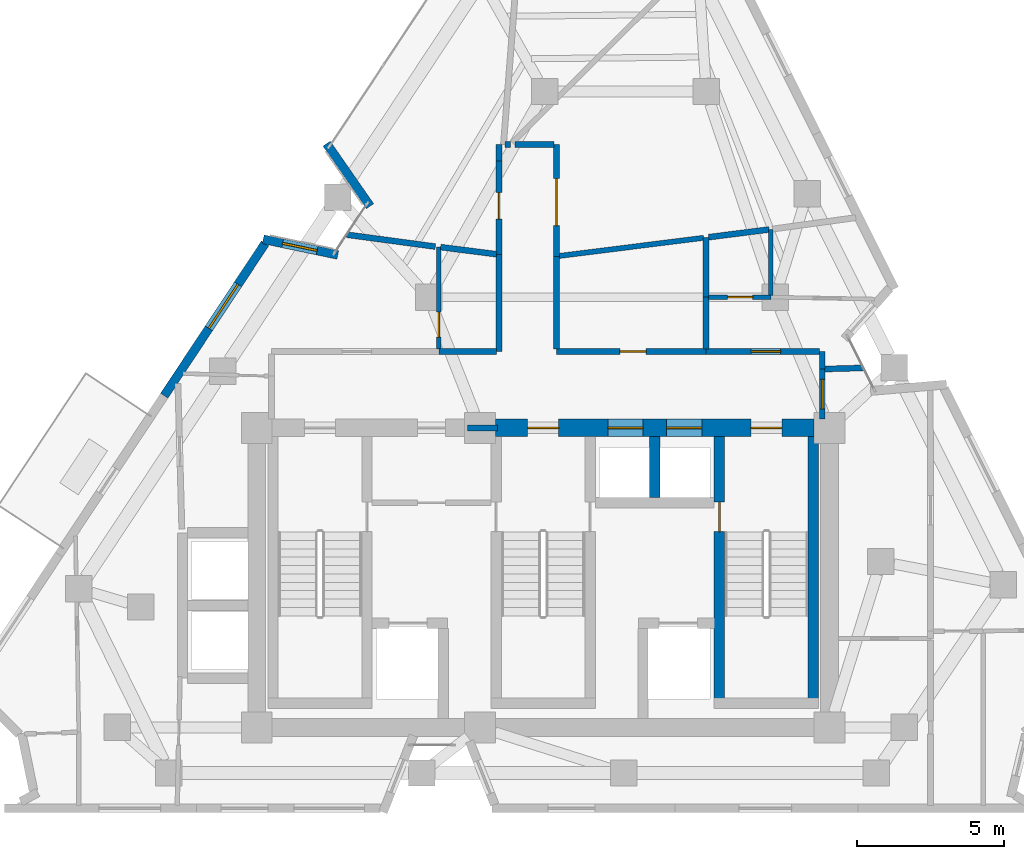
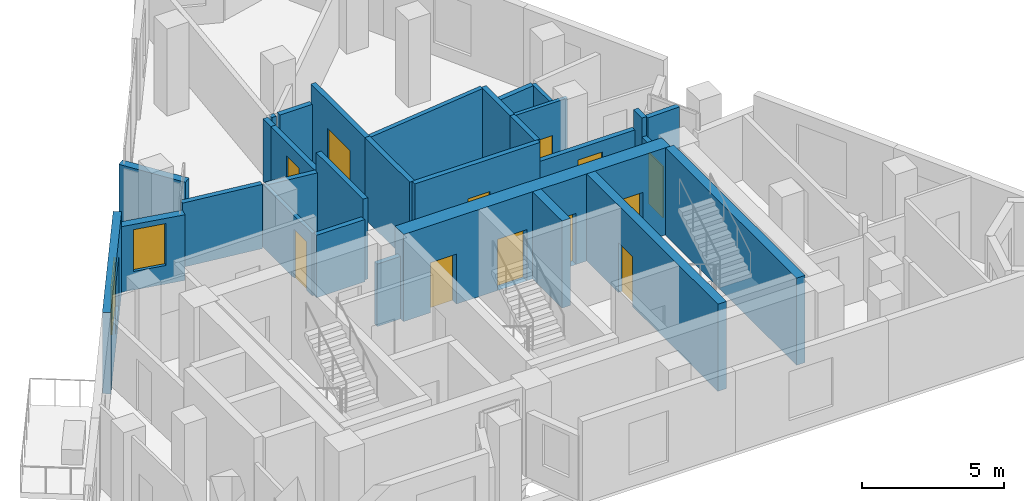
# One storey, part 6 of 10: 30 walls, 12 doors, 2 windows, 14 openings.
"""IFC4 building model written with IfcOpenShell, lengths in metres."""

from ifc_helpers import new_model, si_unit, direction, frame, frame_2d, origin, place, context, subcontext, project, spatial, rectangle, extrude, material, layer, layer_set, type_object, element, fill, save


model = new_model("IFC4")

# Units and contexts
model_context = context("Model", 3, precision=1e-05, world=origin(), true_north=direction((0.0, 1.0)))
body_context = subcontext(model_context, "Body", "Model", "MODEL_VIEW")
ifc_project = project(units=[si_unit("LENGTHUNIT", "METRE"), si_unit("AREAUNIT", "SQUARE_METRE"), si_unit("VOLUMEUNIT", "CUBIC_METRE"), si_unit("PLANEANGLEUNIT", "RADIAN"), si_unit("MASSUNIT", "GRAM", prefix="KILO")], contexts=[model_context])

# Site, building, storey
site_placement = place(None, origin())
site = spatial("IfcSite", under=ifc_project, at=site_placement, CompositionType="ELEMENT")
building_placement = place(site_placement, origin())
building = spatial("IfcBuilding", under=site, at=building_placement, Name="Almagre Mirador Tower", CompositionType="ELEMENT")
storey_placement = place(building_placement, frame((0.0, 0.0, 255.75)))
storey = spatial("IfcBuildingStorey", under=building, at=storey_placement, Name="L66", CompositionType="ELEMENT", Elevation=255.75)

# Wall, opening, window
ifc_material_1 = material(Name="Precast concrete C50/60", Category="concrete")
ifc_layer_1 = layer(ifc_material_1, 0.300048828125)
ifc_layer_set_1 = layer_set([ifc_layer_1], Name="Precast concrete C50/60")
wall_type_1 = type_object("IfcWallType", Name="WAL-EXT-300", PredefinedType="SOLIDWALL", material=ifc_layer_set_1)
wall_1_placement = place(storey_placement, frame((27.77099609375, 21.170654296875, 0.0), z_axis=(0.0, 0.0, 1.0), x_axis=(0.978788869041, -0.204871544732, 0.0)))
wall_1 = element("IfcWall", 1, at=wall_1_placement, inside=storey, type_object=wall_type_1, Name="L66 expressed almagre precast frame wall 01", PredefinedType="SOLIDWALL", context=body_context, shape_type="SweptSolid", body=[
    extrude(rectangle(XDim=2.593017578125, YDim=0.300048828125, at=frame_2d((1.29638671875, 0.0))), origin(), (0.0, 0.0, 1.0), 2.824951171875),
])
opening_1_placement = place(wall_1_placement, frame((0.675048828125, 0.0, 0.800048828125)))
opening_1 = element("IfcOpeningElement", 2, at=opening_1_placement, cuts=wall_1, Name="Opening WN-04", PredefinedType="OPENING", context=body_context, shape_type="SweptSolid", body=[
    extrude(rectangle(XDim=1.199951171875, YDim=1.800048828125, at=frame_2d((0.60009765625, 0.89990234375))), frame((0.0, 0.159902, 0.0), z_axis=(0.0, -1.0, 0.0), x_axis=(1.0, 0.0, 0.0)), (0.0, 0.0, 1.0), 0.320049),
])
ifc_material_2 = material(Name="Dark solar-control laminated hurricane glass", Category="glass")
window_type_1 = type_object("IfcWindowType", Name="WIN-1200X1800", PartitioningType="SINGLE_PANEL", PredefinedType="WINDOW", material=ifc_material_2)
window_1_placement = place(opening_1_placement, origin())
window_1 = element("IfcWindow", 3, at=window_1_placement, inside=storey, type_object=window_type_1, Name="L66 recessed hurricane window L66-UE-ST", OverallHeight=1.800048828125, OverallWidth=1.199951171875, PartitioningType="SINGLE_PANEL", PredefinedType="WINDOW", context=body_context, shape_type="SweptSolid", body=[
    extrude(rectangle(XDim=1.199951171875, YDim=1.800048828125, at=frame_2d((0.60009765625, 0.89990234375))), frame((0.0, 0.030029296875, 0.0), z_axis=(0.0, -1.0, 0.0), x_axis=(1.0, 0.0, 0.0)), (0.0, 0.0, 1.0), 0.06005859375),
])
fill(opening_1, window_1)

# Wall
wall_2_placement = place(storey_placement, frame((31.406005859375, 22.2958984375, 0.0), z_axis=(0.0, 0.0, 1.0), x_axis=(-0.570584534013, 0.821238874838, 0.0)))
element("IfcWall", 4, at=wall_2_placement, inside=storey, type_object=wall_type_1, Name="L66 expressed almagre precast frame wall 02", PredefinedType="SOLIDWALL", context=body_context, shape_type="SweptSolid", body=[
    extrude(rectangle(XDim=2.59375, YDim=0.300048828125, at=frame_2d((1.296875, 0.0))), origin(), (0.0, 0.0, 1.0), 2.824951171875),
])

# Wall, opening, window
wall_3_placement = place(storey_placement, frame((24.400390625, 15.84521484375, 0.0), z_axis=(0.0, 0.0, 1.0), x_axis=(0.552142344765, 0.83374986124, 0.0)))
wall_3 = element("IfcWall", 5, at=wall_3_placement, inside=storey, type_object=wall_type_1, Name="L66 expressed almagre precast frame wall 32", PredefinedType="SOLIDWALL", context=body_context, shape_type="SweptSolid", body=[
    extrude(rectangle(XDim=6.2177734375, YDim=0.300048828125, at=frame_2d((3.10888671875, 0.0))), origin(), (0.0, 0.0, 1.0), 3.5),
])
opening_2_placement = place(wall_3_placement, frame((2.75, 0.0, 0.60009765625)))
opening_2 = element("IfcOpeningElement", 6, at=opening_2_placement, cuts=wall_3, Name="Opening WN-01", PredefinedType="OPENING", context=body_context, shape_type="SweptSolid", body=[
    extrude(rectangle(XDim=1.800048828125, YDim=2.10009765625, at=frame_2d((0.89990234375, 1.050048828125))), frame((0.0, 0.159902, 0.0), z_axis=(0.0, -1.0, 0.0), x_axis=(1.0, 0.0, 0.0)), (0.0, 0.0, 1.0), 0.320049),
])
ifc_material_3 = material(Name="Dark solar-control laminated hurricane glass", Category="glass")
window_type_2 = type_object("IfcWindowType", Name="WIN-1800X2100", PartitioningType="DOUBLE_PANEL_VERTICAL", PredefinedType="WINDOW", material=ifc_material_3)
window_2_placement = place(opening_2_placement, origin())
window_2 = element("IfcWindow", 7, at=window_2_placement, inside=storey, type_object=window_type_2, Name="L66 recessed hurricane window L66-UE-ST", OverallHeight=2.10009765625, OverallWidth=1.800048828125, PartitioningType="SINGLE_PANEL", PredefinedType="WINDOW", context=body_context, shape_type="SweptSolid", body=[
    extrude(rectangle(XDim=1.800048828125, YDim=2.10009765625, at=frame_2d((0.89990234375, 1.050048828125))), frame((0.0, 0.030029296875, 0.0), z_axis=(0.0, -1.0, 0.0), x_axis=(1.0, 0.0, 0.0)), (0.0, 0.0, 1.0), 0.06005859375),
])
fill(opening_2, window_2)

# Wall, opening, door
ifc_material_4 = material(Name="Gypsum acoustic stud partition", Category="other")
ifc_layer_2 = layer(ifc_material_4, 0.14990234375)
ifc_layer_set_2 = layer_set([ifc_layer_2], Name="Gypsum acoustic stud partition")
wall_type_2 = type_object("IfcWallType", Name="WAL-PRT-150-STD", PredefinedType="PARTITIONING", material=ifc_layer_set_2)
wall_4_placement = place(storey_placement, frame((33.75, 17.43505859375, 0.0), z_axis=(0.0, 0.0, 1.0), x_axis=(0.0, 1.0, 0.0)))
wall_4 = element("IfcWall", 8, at=wall_4_placement, inside=storey, type_object=wall_type_2, Name="L66 interior partition 034", PredefinedType="PARTITIONING", context=body_context, shape_type="SweptSolid", body=[
    extrude(rectangle(XDim=3.474853515625, YDim=0.14990234375, at=frame_2d((1.7373046875, 0.0))), origin(), (0.0, 0.0, 1.0), 2.68505859375),
])
opening_3_placement = place(wall_4_placement, frame((0.402099609375, 0.0, 0.0)))
opening_3 = element("IfcOpeningElement", 9, at=opening_3_placement, cuts=wall_4, Name="Opening UD-04", PredefinedType="OPENING", context=body_context, shape_type="SweptSolid", body=[
    extrude(rectangle(XDim=0.85009765625, YDim=2.10009765625, at=frame_2d((0.425048828125, 1.050048828125))), frame((0.0, 0.084951, 0.0), z_axis=(0.0, -1.0, 0.0), x_axis=(1.0, 0.0, 0.0)), (0.0, 0.0, 1.0), 0.169902),
])
ifc_material_5 = material(Name="Moisture-resistant oak timber", Category="wood")
door_type_1 = type_object("IfcDoorType", Name="DOR-UNR-850X2100", OperationType="NOTDEFINED", PredefinedType="DOOR", material=ifc_material_5)
door_1_placement = place(opening_3_placement, origin())
door_1 = element("IfcDoor", 10, at=door_1_placement, inside=storey, type_object=door_type_1, Name="DR-2030 L66 interior door L66-UE-ST to L66-UE-BT", OperationType="SINGLE_SWING_LEFT", OverallHeight=2.10009765625, OverallWidth=0.85009765625, PredefinedType="DOOR", context=body_context, shape_type="SweptSolid", body=[
    extrude(rectangle(XDim=0.85009765625, YDim=2.10009765625, at=frame_2d((0.425048828125, 1.050048828125))), frame((0.0, 0.02490234375, 0.0), z_axis=(0.0, -1.0, 0.0), x_axis=(1.0, 0.0, 0.0)), (0.0, 0.0, 1.0), 0.050048828125),
])
fill(opening_3, door_1)

wall_5_placement = place(storey_placement, frame((45.050048828125, 19.199951171875, 0.0), z_axis=(0.0, 0.0, 1.0), x_axis=(-1.0, 0.0, 0.0)))
wall_5 = element("IfcWall", 11, at=wall_5_placement, inside=storey, type_object=wall_type_2, Name="L66 interior partition 041", PredefinedType="PARTITIONING", context=body_context, shape_type="SweptSolid", body=[
    extrude(rectangle(XDim=2.114990234375, YDim=0.14990234375, at=frame_2d((1.0576171875, 0.0))), origin(), (0.0, 0.0, 1.0), 3.5),
])
opening_4_placement = place(wall_5_placement, frame((0.615478515625, 0.0, 0.0)))
opening_4 = element("IfcOpeningElement", 12, at=opening_4_placement, cuts=wall_5, Name="Opening UD-04", PredefinedType="OPENING", context=body_context, shape_type="SweptSolid", body=[
    extrude(rectangle(XDim=0.85009765625, YDim=2.10009765625, at=frame_2d((0.425048828125, 1.050048828125))), frame((0.0, 0.084951, 0.0), z_axis=(0.0, -1.0, 0.0), x_axis=(1.0, 0.0, 0.0)), (0.0, 0.0, 1.0), 0.169902),
])
door_2_placement = place(opening_4_placement, origin())
door_2 = element("IfcDoor", 13, at=door_2_placement, inside=storey, type_object=door_type_1, Name="DR-2033 L66 interior door L66-UG-ST to L66-UG-BT", OperationType="SINGLE_SWING_RIGHT", OverallHeight=2.10009765625, OverallWidth=0.85009765625, PredefinedType="DOOR", context=body_context, shape_type="SweptSolid", body=[
    extrude(rectangle(XDim=0.85009765625, YDim=2.10009765625, at=frame_2d((0.425048828125, 1.050048828125))), frame((0.0, 0.02490234375, 0.0), z_axis=(0.0, -1.0, 0.0), x_axis=(1.0, 0.0, 0.0)), (0.0, 0.0, 1.0), 0.050048828125),
])
fill(opening_4, door_2)

# Walls
wall_6_placement = place(storey_placement, frame((45.050048828125, 21.510009765625, 0.0), z_axis=(0.0, 0.0, 1.0), x_axis=(0.0, -1.0, 0.0)))
element("IfcWall", 14, at=wall_6_placement, inside=storey, type_object=wall_type_2, Name="L66 interior partition 042", PredefinedType="PARTITIONING", context=body_context, shape_type="SweptSolid", body=[
    extrude(rectangle(XDim=2.262451171875, YDim=0.14990234375, at=frame_2d((1.13134765625, 0.0))), origin(), (0.0, 0.0, 1.0), 2.68505859375),
])
ifc_material_6 = material(Name="Gypsum acoustic stud partition", Category="other")
ifc_layer_3 = layer(ifc_material_6, 0.175048828125)
ifc_layer_set_3 = layer_set([ifc_layer_3], Name="Gypsum acoustic stud partition")
wall_type_3 = type_object("IfcWallType", Name="WAL-PRT-175-AC", PredefinedType="PARTITIONING", material=ifc_layer_set_3)
wall_7_placement = place(storey_placement, frame((42.765625, 21.219482421875, 0.0), z_axis=(0.0, 0.0, 1.0), x_axis=(-0.992216542226, -0.124524428662, 0.0)))
element("IfcWall", 15, at=wall_7_placement, inside=storey, type_object=wall_type_3, Name="L66 interior partition 039", PredefinedType="PARTITIONING", context=body_context, shape_type="SweptSolid", body=[
    extrude(rectangle(XDim=4.969970703125, YDim=0.175048828125, at=frame_2d((2.48486328125, 0.0))), origin(), (0.0, 0.0, 1.0), 3.5),
])
ifc_material_7 = material(Name="Gypsum acoustic stud partition", Category="other")
ifc_layer_4 = layer(ifc_material_7, 0.199951171875)
ifc_layer_set_4 = layer_set([ifc_layer_4], Name="Gypsum acoustic stud partition")
wall_type_4 = type_object("IfcWallType", Name="WAL-PRT-200-EI60", PredefinedType="PARTITIONING", material=ifc_layer_set_4)
wall_8_placement = place(storey_placement, frame((34.719970703125, 14.75, 0.0), z_axis=(0.0, 0.0, 1.0), x_axis=(1.0, 0.0, 0.0)))
element("IfcWall", 16, at=wall_8_placement, inside=storey, type_object=wall_type_4, Name="L66 core north closure wall", PredefinedType="PARTITIONING", context=body_context, shape_type="SweptSolid", body=[
    extrude(rectangle(XDim=1.030029296875, YDim=0.199951171875, at=frame_2d((0.51513671875, 0.0))), origin(), (0.0, 0.0, 1.0), 2.68505859375),
])

# Wall, opening, door
wall_9_placement = place(storey_placement, frame((46.800048828125, 15.050048828125, 0.0), z_axis=(0.0, 0.0, 1.0), x_axis=(0.0, 1.0, 0.0)))
wall_9 = element("IfcWall", 17, at=wall_9_placement, inside=storey, type_object=wall_type_4, Name="L66 interior partition 001", PredefinedType="PARTITIONING", context=body_context, shape_type="SweptSolid", body=[
    extrude(rectangle(XDim=1.699951171875, YDim=0.199951171875, at=frame_2d((0.85009765625, 0.0))), origin(), (0.0, 0.0, 1.0), 2.68505859375),
])
opening_5_placement = place(wall_9_placement, frame((0.35009765625, 0.0, 0.0)))
opening_5 = element("IfcOpeningElement", 18, at=opening_5_placement, cuts=wall_9, Name="Opening ID-01", PredefinedType="OPENING", context=body_context, shape_type="SweptSolid", body=[
    extrude(rectangle(XDim=1.0, YDim=2.199951171875, at=frame_2d((0.5, 1.10009765625))), frame((0.0, 0.110098, 0.0), z_axis=(0.0, -1.0, 0.0), x_axis=(1.0, 0.0, 0.0)), (0.0, 0.0, 1.0), 0.219951),
])
ifc_material_8 = material(Name="Fire-rated walnut timber", Category="wood")
door_type_2 = type_object("IfcDoorType", Name="DOR-FD60-1000X2200", OperationType="NOTDEFINED", PredefinedType="DOOR", material=ifc_material_8)
door_3_placement = place(opening_5_placement, origin())
door_3 = element("IfcDoor", 19, at=door_3_placement, inside=storey, type_object=door_type_2, Name="DR-2024 L66 interior door L66-RCOR to L66-UC-ST", OperationType="SINGLE_SWING_RIGHT", OverallHeight=2.199951171875, OverallWidth=1.0, PredefinedType="DOOR", context=body_context, shape_type="SweptSolid", body=[
    extrude(rectangle(XDim=1.0, YDim=2.199951171875, at=frame_2d((0.5, 1.10009765625))), frame((0.0, 0.02490234375, 0.0), z_axis=(0.0, -1.0, 0.0), x_axis=(1.0, 0.0, 0.0)), (0.0, 0.0, 1.0), 0.050048828125),
])
fill(opening_5, door_3)

# Walls
wall_10_placement = place(storey_placement, frame((35.800048828125, 20.64990234375, 0.0), z_axis=(0.0, 0.0, 1.0), x_axis=(0.0, -1.0, 0.0)))
element("IfcWall", 20, at=wall_10_placement, inside=storey, type_object=wall_type_4, Name="L66 interior partition 005", PredefinedType="PARTITIONING", context=body_context, shape_type="SweptSolid", body=[
    extrude(rectangle(XDim=3.2998046875, YDim=0.199951171875, at=frame_2d((1.64990234375, 0.0))), origin(), (0.0, 0.0, 1.0), 3.5),
])
wall_11_placement = place(storey_placement, frame((35.715087890625, 17.35009765625, 0.0), z_axis=(0.0, 0.0, 1.0), x_axis=(-1.0, 0.0, 0.0)))
element("IfcWall", 21, at=wall_11_placement, inside=storey, type_object=wall_type_4, Name="L66 interior partition 006", PredefinedType="PARTITIONING", context=body_context, shape_type="SweptSolid", body=[
    extrude(rectangle(XDim=1.965087890625, YDim=0.199951171875, at=frame_2d((0.982421875, 0.0))), origin(), (0.0, 0.0, 1.0), 2.68505859375),
])

# Wall, opening, door
wall_12_placement = place(storey_placement, frame((42.85009765625, 17.35009765625, 0.0), z_axis=(0.0, 0.0, 1.0), x_axis=(-1.0, 0.0, 0.0)))
wall_12 = element("IfcWall", 22, at=wall_12_placement, inside=storey, type_object=wall_type_4, Name="L66 interior partition 007", PredefinedType="PARTITIONING", context=body_context, shape_type="SweptSolid", body=[
    extrude(rectangle(XDim=5.10009765625, YDim=0.199951171875, at=frame_2d((2.550048828125, 0.0))), origin(), (0.0, 0.0, 1.0), 3.5),
])
opening_6_placement = place(wall_12_placement, frame((2.04052734375, 0.0, 0.0)))
opening_6 = element("IfcOpeningElement", 23, at=opening_6_placement, cuts=wall_12, Name="Opening ID-03", PredefinedType="OPENING", context=body_context, shape_type="SweptSolid", body=[
    extrude(rectangle(XDim=0.89990234375, YDim=2.10009765625, at=frame_2d((0.449951171875, 1.050048828125))), frame((0.0, 0.110098, 0.0), z_axis=(0.0, -1.0, 0.0), x_axis=(1.0, 0.0, 0.0)), (0.0, 0.0, 1.0), 0.219951),
])
ifc_material_9 = material(Name="Fire-rated hollow steel", Category="steel")
door_type_3 = type_object("IfcDoorType", Name="DOR-FD60-900X2100", OperationType="NOTDEFINED", PredefinedType="DOOR", material=ifc_material_9)
door_4_placement = place(opening_6_placement, origin())
door_4 = element("IfcDoor", 24, at=door_4_placement, inside=storey, type_object=door_type_3, Name="DR-2018 L66 interior door L66-RCOR to L66-RST-F", OperationType="SINGLE_SWING_LEFT", OverallHeight=2.10009765625, OverallWidth=0.89990234375, PredefinedType="DOOR", context=body_context, shape_type="SweptSolid", body=[
    extrude(rectangle(XDim=0.89990234375, YDim=2.10009765625, at=frame_2d((0.449951171875, 1.050048828125))), frame((0.0, 0.02490234375, 0.0), z_axis=(0.0, -1.0, 0.0), x_axis=(1.0, 0.0, 0.0)), (0.0, 0.0, 1.0), 0.050048828125),
])
fill(opening_6, door_4)

# Walls
wall_13_placement = place(storey_placement, frame((37.75, 17.43505859375, 0.0), z_axis=(0.0, 0.0, 1.0), x_axis=(0.0, 1.0, 0.0)))
element("IfcWall", 25, at=wall_13_placement, inside=storey, type_object=wall_type_4, Name="L66 interior partition 008", PredefinedType="PARTITIONING", context=body_context, shape_type="SweptSolid", body=[
    extrude(rectangle(XDim=3.155029296875, YDim=0.199951171875, at=frame_2d((1.57763671875, 0.0))), origin(), (0.0, 0.0, 1.0), 3.5),
])
wall_14_placement = place(storey_placement, frame((46.800048828125, 16.75, 0.0), z_axis=(0.0, 0.0, 1.0), x_axis=(0.0, 1.0, 0.0)))
element("IfcWall", 26, at=wall_14_placement, inside=storey, type_object=wall_type_4, Name="L66 interior partition 009", PredefinedType="PARTITIONING", context=body_context, shape_type="SweptSolid", body=[
    extrude(rectangle(XDim=0.60009765625, YDim=0.199951171875, at=frame_2d((0.300048828125, 0.0))), origin(), (0.0, 0.0, 1.0), 3.5),
])

# Wall, opening, door
wall_15_placement = place(storey_placement, frame((46.715087890625, 17.35009765625, 0.0), z_axis=(0.0, 0.0, 1.0), x_axis=(-1.0, 0.0, 0.0)))
wall_15 = element("IfcWall", 27, at=wall_15_placement, inside=storey, type_object=wall_type_4, Name="L66 interior partition 010", PredefinedType="PARTITIONING", context=body_context, shape_type="SweptSolid", body=[
    extrude(rectangle(XDim=3.864990234375, YDim=0.199951171875, at=frame_2d((1.9326171875, 0.0))), origin(), (0.0, 0.0, 1.0), 2.68505859375),
])
opening_7_placement = place(wall_15_placement, frame((1.33203125, 0.0, 0.0)))
opening_7 = element("IfcOpeningElement", 28, at=opening_7_placement, cuts=wall_15, Name="Opening ID-01", PredefinedType="OPENING", context=body_context, shape_type="SweptSolid", body=[
    extrude(rectangle(XDim=1.0, YDim=2.199951171875, at=frame_2d((0.5, 1.10009765625))), frame((0.0, 0.110098, 0.0), z_axis=(0.0, -1.0, 0.0), x_axis=(1.0, 0.0, 0.0)), (0.0, 0.0, 1.0), 0.219951),
])
door_5_placement = place(opening_7_placement, origin())
door_5 = element("IfcDoor", 29, at=door_5_placement, inside=storey, type_object=door_type_2, Name="DR-2031 L66 interior door L66-RCOR to L66-UG-ST", OperationType="SINGLE_SWING_RIGHT", OverallHeight=2.199951171875, OverallWidth=1.0, PredefinedType="DOOR", context=body_context, shape_type="SweptSolid", body=[
    extrude(rectangle(XDim=1.0, YDim=2.199951171875, at=frame_2d((0.5, 1.10009765625))), frame((0.0, 0.02490234375, 0.0), z_axis=(0.0, -1.0, 0.0), x_axis=(1.0, 0.0, 0.0)), (0.0, 0.0, 1.0), 0.050048828125),
])
fill(opening_7, door_5)

wall_16_placement = place(storey_placement, frame((35.800048828125, 23.840087890625, 0.0), z_axis=(0.0, 0.0, 1.0), x_axis=(0.0, -1.0, 0.0)))
wall_16 = element("IfcWall", 30, at=wall_16_placement, inside=storey, type_object=wall_type_4, Name="L66 interior partition 011", PredefinedType="PARTITIONING", context=body_context, shape_type="SweptSolid", body=[
    extrude(rectangle(XDim=3.190185546875, YDim=0.199951171875, at=frame_2d((1.59521484375, 0.0))), origin(), (0.0, 0.0, 1.0), 2.68505859375),
])
opening_8_placement = place(wall_16_placement, frame((1.0859375, 0.0, 0.0)))
opening_8 = element("IfcOpeningElement", 31, at=opening_8_placement, cuts=wall_16, Name="Opening ID-03", PredefinedType="OPENING", context=body_context, shape_type="SweptSolid", body=[
    extrude(rectangle(XDim=0.89990234375, YDim=2.10009765625, at=frame_2d((0.449951171875, 1.050048828125))), frame((0.0, 0.110098, 0.0), z_axis=(0.0, -1.0, 0.0), x_axis=(1.0, 0.0, 0.0)), (0.0, 0.0, 1.0), 0.219951),
])
door_6_placement = place(opening_8_placement, origin())
door_6 = element("IfcDoor", 32, at=door_6_placement, inside=storey, type_object=door_type_3, Name="DR-2020 L66 interior door L66-RCOR to L66-UH-ST", OperationType="SINGLE_SWING_LEFT", OverallHeight=2.10009765625, OverallWidth=0.89990234375, PredefinedType="DOOR", context=body_context, shape_type="SweptSolid", body=[
    extrude(rectangle(XDim=0.89990234375, YDim=2.10009765625, at=frame_2d((0.449951171875, 1.050048828125))), frame((0.0, 0.02490234375, 0.0), z_axis=(0.0, -1.0, 0.0), x_axis=(1.0, 0.0, 0.0)), (0.0, 0.0, 1.0), 0.050048828125),
])
fill(opening_8, door_6)

# Wall
wall_17_placement = place(storey_placement, frame((35.800048828125, 24.39990234375, 0.0), z_axis=(0.0, 0.0, 1.0), x_axis=(0.0, -1.0, 0.0)))
element("IfcWall", 33, at=wall_17_placement, inside=storey, type_object=wall_type_4, Name="L66 interior partition 012", PredefinedType="PARTITIONING", context=body_context, shape_type="SweptSolid", body=[
    extrude(rectangle(XDim=0.559814453125, YDim=0.199951171875, at=frame_2d((0.27978515625, 0.0))), origin(), (0.0, 0.0, 1.0), 2.68505859375),
])

# Wall, opening, door
wall_18_placement = place(storey_placement, frame((37.75, 20.590087890625, 0.0), z_axis=(0.0, 0.0, 1.0), x_axis=(0.0, 1.0, 0.0)))
wall_18 = element("IfcWall", 34, at=wall_18_placement, inside=storey, type_object=wall_type_4, Name="L66 interior partition 013", PredefinedType="PARTITIONING", context=body_context, shape_type="SweptSolid", body=[
    extrude(rectangle(XDim=3.809814453125, YDim=0.199951171875, at=frame_2d((1.90478515625, 0.0))), origin(), (0.0, 0.0, 1.0), 3.5),
])
opening_9_placement = place(wall_18_placement, frame((1.048095703125, 0.0, 0.0)))
opening_9 = element("IfcOpeningElement", 35, at=opening_9_placement, cuts=wall_18, Name="Opening ID-05", PredefinedType="OPENING", context=body_context, shape_type="SweptSolid", body=[
    extrude(rectangle(XDim=1.60009765625, YDim=2.300048828125, at=frame_2d((0.800048828125, 1.14990234375))), frame((0.0, 0.110098, 0.0), z_axis=(0.0, -1.0, 0.0), x_axis=(1.0, 0.0, 0.0)), (0.0, 0.0, 1.0), 0.219951),
])
ifc_material_10 = material(Name="Fire-rated acoustic timber", Category="wood")
door_type_4 = type_object("IfcDoorType", Name="DOR-FD60-1600X2300", OperationType="DOUBLE_DOOR_SINGLE_SWING", PredefinedType="DOOR", material=ifc_material_10)
door_7_placement = place(opening_9_placement, origin())
door_7 = element("IfcDoor", 36, at=door_7_placement, inside=storey, type_object=door_type_4, Name="DR-2019 L66 interior door L66-RCOR to L66-RST-J", OperationType="DOUBLE_DOOR_SINGLE_SWING", OverallHeight=2.300048828125, OverallWidth=1.60009765625, PredefinedType="DOOR", context=body_context, shape_type="SweptSolid", body=[
    extrude(rectangle(XDim=1.60009765625, YDim=2.300048828125, at=frame_2d((0.800048828125, 1.14990234375))), frame((0.0, 0.02490234375, 0.0), z_axis=(0.0, -1.0, 0.0), x_axis=(1.0, 0.0, 0.0)), (0.0, 0.0, 1.0), 0.050048828125),
])
fill(opening_9, door_7)

# Walls
wall_19_placement = place(storey_placement, frame((37.6650390625, 24.39990234375, 0.0), z_axis=(0.0, 0.0, 1.0), x_axis=(-1.0, 0.0, 0.0)))
element("IfcWall", 37, at=wall_19_placement, inside=storey, type_object=wall_type_4, Name="L66 interior partition 014", PredefinedType="PARTITIONING", context=body_context, shape_type="SweptSolid", body=[
    extrude(rectangle(XDim=1.330078125, YDim=0.199951171875, at=frame_2d((0.6650390625, 0.0))), origin(), (0.0, 0.0, 1.0), 2.68505859375),
])
wall_20_placement = place(storey_placement, frame((36.18994140625, 24.39990234375, 0.0), z_axis=(0.0, 0.0, 1.0), x_axis=(-1.0, 0.0, 0.0)))
element("IfcWall", 38, at=wall_20_placement, inside=storey, type_object=wall_type_4, Name="L66 interior partition 015", PredefinedType="PARTITIONING", context=body_context, shape_type="SweptSolid", body=[
    extrude(rectangle(XDim=0.18505859375, YDim=0.199951171875, at=frame_2d((0.092529296875, 0.0))), origin(), (0.0, 0.0, 1.0), 2.68505859375),
])
wall_21_placement = place(storey_placement, frame((48.200927734375, 16.7900390625, 0.0), z_axis=(0.0, 0.0, 1.0), x_axis=(-0.999592086461, -0.028559773899, 0.0)))
element("IfcWall", 39, at=wall_21_placement, inside=storey, type_object=wall_type_4, Name="L66 interior partition 027", PredefinedType="PARTITIONING", context=body_context, shape_type="SweptSolid", body=[
    extrude(rectangle(XDim=1.31640625, YDim=0.199951171875, at=frame_2d((0.658203125, 0.0))), origin(), (0.0, 0.0, 1.0), 3.5),
])
wall_22_placement = place(storey_placement, frame((33.6298828125, 20.919921875, 0.0), z_axis=(0.0, 0.0, 1.0), x_axis=(-0.991047215952, 0.13351185623, 0.0)))
element("IfcWall", 40, at=wall_22_placement, inside=storey, type_object=wall_type_4, Name="L66 interior partition 035", PredefinedType="PARTITIONING", context=body_context, shape_type="SweptSolid", body=[
    extrude(rectangle(XDim=3.04833984375, YDim=0.199951171875, at=frame_2d((1.524169921875, 0.0))), origin(), (0.0, 0.0, 1.0), 2.763916015625),
])
wall_23_placement = place(storey_placement, frame((35.7158203125, 20.66064453125, 0.0), z_axis=(0.0, 0.0, 1.0), x_axis=(-0.992041540235, 0.125911010037, 0.0)))
element("IfcWall", 41, at=wall_23_placement, inside=storey, type_object=wall_type_4, Name="L66 interior partition 036", PredefinedType="PARTITIONING", context=body_context, shape_type="SweptSolid", body=[
    extrude(rectangle(XDim=1.921630859375, YDim=0.199951171875, at=frame_2d((0.9609375, 0.0))), origin(), (0.0, 0.0, 1.0), 2.68505859375),
])
wall_24_placement = place(storey_placement, frame((42.85009765625, 17.43505859375, 0.0), z_axis=(0.0, 0.0, 1.0), x_axis=(0.0, 1.0, 0.0)))
element("IfcWall", 42, at=wall_24_placement, inside=storey, type_object=wall_type_4, Name="L66 interior partition 037", PredefinedType="PARTITIONING", context=body_context, shape_type="SweptSolid", body=[
    extrude(rectangle(XDim=1.764892578125, YDim=0.199951171875, at=frame_2d((0.88232421875, 0.0))), origin(), (0.0, 0.0, 1.0), 3.5),
])
wall_25_placement = place(storey_placement, frame((42.85009765625, 19.199951171875, 0.0), z_axis=(0.0, 0.0, 1.0), x_axis=(0.0, 1.0, 0.0)))
element("IfcWall", 43, at=wall_25_placement, inside=storey, type_object=wall_type_4, Name="L66 interior partition 038", PredefinedType="PARTITIONING", context=body_context, shape_type="SweptSolid", body=[
    extrude(rectangle(XDim=2.030029296875, YDim=0.199951171875, at=frame_2d((1.01513671875, 0.0))), origin(), (0.0, 0.0, 1.0), 3.5),
])
wall_26_placement = place(storey_placement, frame((44.990478515625, 21.50244140625, 0.0), z_axis=(0.0, 0.0, 1.0), x_axis=(-0.991996302331, -0.126266924258, 0.0)))
element("IfcWall", 44, at=wall_26_placement, inside=storey, type_object=wall_type_4, Name="L66 interior partition 044", PredefinedType="PARTITIONING", context=body_context, shape_type="SweptSolid", body=[
    extrude(rectangle(XDim=2.07275390625, YDim=0.199951171875, at=frame_2d((1.036376953125, 0.0))), origin(), (0.0, 0.0, 1.0), 2.68505859375),
])

# Wall, opening, door
ifc_material_11 = material(Name="Concrete C60/75", Category="concrete")
ifc_layer_5 = layer(ifc_material_11, 0.35009765625)
ifc_layer_set_5 = layer_set([ifc_layer_5], Name="Concrete C60/75")
wall_type_5 = type_object("IfcWallType", Name="WAL-SHF-350", PredefinedType="SOLIDWALL", material=ifc_layer_set_5)
wall_27_placement = place(storey_placement, frame((43.300048828125, 5.199951171875, 0.0), z_axis=(0.0, 0.0, 1.0), x_axis=(0.0, 1.0, 0.0)))
wall_27 = element("IfcWall", 45, at=wall_27_placement, inside=storey, type_object=wall_type_5, Name="L66 shaft wall ST3-W", PredefinedType="SOLIDWALL", context=body_context, shape_type="SweptSolid", body=[
    extrude(rectangle(XDim=9.25, YDim=0.35009765625, at=frame_2d((4.625, 0.0))), origin(), (0.0, 0.0, 1.0), 3.75),
])
opening_10_placement = place(wall_27_placement, frame((6.02001953125, 0.0, 0.0)))
opening_10 = element("IfcOpeningElement", 46, at=opening_10_placement, cuts=wall_27, Name="Opening FD-01", PredefinedType="OPENING", context=body_context, shape_type="SweptSolid", body=[
    extrude(rectangle(XDim=1.0, YDim=2.14990234375, at=frame_2d((0.5, 1.074951171875))), frame((0.0, 0.185049, 0.0), z_axis=(0.0, -1.0, 0.0), x_axis=(1.0, 0.0, 0.0)), (0.0, 0.0, 1.0), 0.370098),
])
ifc_material_12 = material(Name="Fire-rated hollow steel", Category="steel")
door_type_5 = type_object("IfcDoorType", Name="DOR-FFL-1000X2150", OperationType="NOTDEFINED", PredefinedType="DOOR", material=ifc_material_12)
door_8_placement = place(opening_10_placement, origin())
door_8 = element("IfcDoor", 47, at=door_8_placement, inside=storey, type_object=door_type_5, Name="DR-2017 L66 FFL2-ST3 smokeproof door", OperationType="SINGLE_SWING_RIGHT", OverallHeight=2.14990234375, OverallWidth=1.0, PredefinedType="DOOR", context=body_context, shape_type="SweptSolid", body=[
    extrude(rectangle(XDim=1.0, YDim=2.14990234375, at=frame_2d((0.5, 1.074951171875))), frame((0.0, 0.02490234375, 0.0), z_axis=(0.0, -1.0, 0.0), x_axis=(1.0, 0.0, 0.0)), (0.0, 0.0, 1.0), 0.050048828125),
])
fill(opening_10, door_8)

# Walls
wall_28_placement = place(storey_placement, frame((46.5, 5.199951171875, 0.0), z_axis=(0.0, 0.0, 1.0), x_axis=(0.0, 1.0, 0.0)))
element("IfcWall", 48, at=wall_28_placement, inside=storey, type_object=wall_type_5, Name="L66 shaft wall ST3-E", PredefinedType="SOLIDWALL", context=body_context, shape_type="SweptSolid", body=[
    extrude(rectangle(XDim=9.25, YDim=0.35009765625, at=frame_2d((4.625, 0.0))), origin(), (0.0, 0.0, 1.0), 3.75),
])
wall_29_placement = place(storey_placement, frame((41.10009765625, 12.375, 0.0), z_axis=(0.0, 0.0, 1.0), x_axis=(0.0, 1.0, 0.0)))
element("IfcWall", 49, at=wall_29_placement, inside=storey, type_object=wall_type_5, Name="L66 shaft wall PLH-M", PredefinedType="SOLIDWALL", context=body_context, shape_type="SweptSolid", body=[
    extrude(rectangle(XDim=2.074951171875, YDim=0.35009765625, at=frame_2d((1.03759765625, 0.0))), origin(), (0.0, 0.0, 1.0), 3.75),
])

# Wall, openings, doors
ifc_material_13 = material(Name="Concrete C60/75", Category="concrete")
ifc_layer_6 = layer(ifc_material_13, 0.60009765625)
ifc_layer_set_6 = layer_set([ifc_layer_6], Name="Concrete C60/75")
wall_type_6 = type_object("IfcWallType", Name="WAL-SHR-600", PredefinedType="SHEAR", material=ifc_layer_set_6)
wall_30_placement = place(storey_placement, frame((35.675048828125, 14.75, 0.0), z_axis=(0.0, 0.0, 1.0), x_axis=(1.0, 0.0, 0.0)))
wall_30 = element("IfcWall", 50, at=wall_30_placement, inside=storey, type_object=wall_type_6, Name="L66 core shear wall N2", PredefinedType="SHEAR", context=body_context, shape_type="SweptSolid", body=[
    extrude(rectangle(XDim=10.849853515625, YDim=0.60009765625, at=frame_2d((5.4248046875, 0.0))), origin(), (0.0, 0.0, 1.0), 3.75),
])
opening_11_placement = place(wall_30_placement, frame((1.10009765625, 0.0, 0.0)))
opening_11 = element("IfcOpeningElement", 51, at=opening_11_placement, cuts=wall_30, Name="Opening SD-01", PredefinedType="OPENING", context=body_context, shape_type="SweptSolid", body=[
    extrude(rectangle(XDim=1.050048828125, YDim=2.14990234375, at=frame_2d((0.52490234375, 1.074951171875))), frame((0.0, 0.310049, 0.0), z_axis=(0.0, -1.0, 0.0), x_axis=(1.0, 0.0, 0.0)), (0.0, 0.0, 1.0), 0.620098),
])
opening_12_placement = place(wall_30_placement, frame((8.699951171875, 0.0, 0.0)))
opening_12 = element("IfcOpeningElement", 52, at=opening_12_placement, cuts=wall_30, Name="Opening SD-01", PredefinedType="OPENING", context=body_context, shape_type="SweptSolid", body=[
    extrude(rectangle(XDim=1.050048828125, YDim=2.14990234375, at=frame_2d((0.52490234375, 1.074951171875))), frame((0.0, 0.310049, 0.0), z_axis=(0.0, -1.0, 0.0), x_axis=(1.0, 0.0, 0.0)), (0.0, 0.0, 1.0), 0.620098),
])
opening_13_placement = place(wall_30_placement, frame((3.824951171875, 0.0, 0.0)))
opening_13 = element("IfcOpeningElement", 53, at=opening_13_placement, cuts=wall_30, Name="Opening LD-02", PredefinedType="OPENING", context=body_context, shape_type="SweptSolid", body=[
    extrude(rectangle(XDim=1.199951171875, YDim=2.199951171875, at=frame_2d((0.60009765625, 1.10009765625))), frame((0.0, 0.310049, 0.0), z_axis=(0.0, -1.0, 0.0), x_axis=(1.0, 0.0, 0.0)), (0.0, 0.0, 1.0), 0.620098),
])
opening_14_placement = place(wall_30_placement, frame((5.824951171875, 0.0, 0.0)))
opening_14 = element("IfcOpeningElement", 54, at=opening_14_placement, cuts=wall_30, Name="Opening LD-02", PredefinedType="OPENING", context=body_context, shape_type="SweptSolid", body=[
    extrude(rectangle(XDim=1.199951171875, YDim=2.199951171875, at=frame_2d((0.60009765625, 1.10009765625))), frame((0.0, 0.310049, 0.0), z_axis=(0.0, -1.0, 0.0), x_axis=(1.0, 0.0, 0.0)), (0.0, 0.0, 1.0), 0.620098),
])
ifc_material_14 = material(Name="Hollow stainless steel", Category="steel")
door_type_6 = type_object("IfcDoorType", Name="DOR-LD-1200X2200", OperationType="DOUBLE_DOOR_SLIDING", PredefinedType="DOOR", material=ifc_material_14)
door_9_placement = place(opening_13_placement, origin())
door_9 = element("IfcDoor", 55, at=door_9_placement, inside=storey, type_object=door_type_6, Name="DR-2038 L66 PL-H1 lift landing door", OperationType="DOUBLE_DOOR_SLIDING", OverallHeight=2.199951171875, OverallWidth=1.199951171875, PredefinedType="DOOR", context=body_context, shape_type="SweptSolid", body=[
    extrude(rectangle(XDim=1.199951171875, YDim=2.199951171875, at=frame_2d((0.60009765625, 1.10009765625))), frame((0.0, 0.02490234375, 0.0), z_axis=(0.0, -1.0, 0.0), x_axis=(1.0, 0.0, 0.0)), (0.0, 0.0, 1.0), 0.050048828125),
])
fill(opening_13, door_9)
door_10_placement = place(opening_14_placement, origin())
door_10 = element("IfcDoor", 56, at=door_10_placement, inside=storey, type_object=door_type_6, Name="DR-2039 L66 PL-H2 lift landing door", OperationType="DOUBLE_DOOR_SLIDING", OverallHeight=2.199951171875, OverallWidth=1.199951171875, PredefinedType="DOOR", context=body_context, shape_type="SweptSolid", body=[
    extrude(rectangle(XDim=1.199951171875, YDim=2.199951171875, at=frame_2d((0.60009765625, 1.10009765625))), frame((0.0, 0.02490234375, 0.0), z_axis=(0.0, -1.0, 0.0), x_axis=(1.0, 0.0, 0.0)), (0.0, 0.0, 1.0), 0.050048828125),
])
fill(opening_14, door_10)
ifc_material_15 = material(Name="Fire-rated hollow steel", Category="steel")
door_type_7 = type_object("IfcDoorType", Name="DOR-ST-1050X2150", OperationType="NOTDEFINED", PredefinedType="DOOR", material=ifc_material_15)
door_11_placement = place(opening_11_placement, origin())
door_11 = element("IfcDoor", 57, at=door_11_placement, inside=storey, type_object=door_type_7, Name="DR-2041 L66 protected exit stair ST-2 door", OperationType="SINGLE_SWING_LEFT", OverallHeight=2.14990234375, OverallWidth=1.050048828125, PredefinedType="DOOR", context=body_context, shape_type="SweptSolid", body=[
    extrude(rectangle(XDim=1.050048828125, YDim=2.14990234375, at=frame_2d((0.52490234375, 1.074951171875))), frame((0.0, 0.02490234375, 0.0), z_axis=(0.0, -1.0, 0.0), x_axis=(1.0, 0.0, 0.0)), (0.0, 0.0, 1.0), 0.050048828125),
])
fill(opening_11, door_11)
door_12_placement = place(opening_12_placement, origin())
door_12 = element("IfcDoor", 58, at=door_12_placement, inside=storey, type_object=door_type_7, Name="DR-2042 L66 protected exit stair ST-3 door", OperationType="SINGLE_SWING_RIGHT", OverallHeight=2.14990234375, OverallWidth=1.050048828125, PredefinedType="DOOR", context=body_context, shape_type="SweptSolid", body=[
    extrude(rectangle(XDim=1.050048828125, YDim=2.14990234375, at=frame_2d((0.52490234375, 1.074951171875))), frame((0.0, 0.02490234375, 0.0), z_axis=(0.0, -1.0, 0.0), x_axis=(1.0, 0.0, 0.0)), (0.0, 0.0, 1.0), 0.050048828125),
])
fill(opening_12, door_12)

save(model, "model.ifc")
